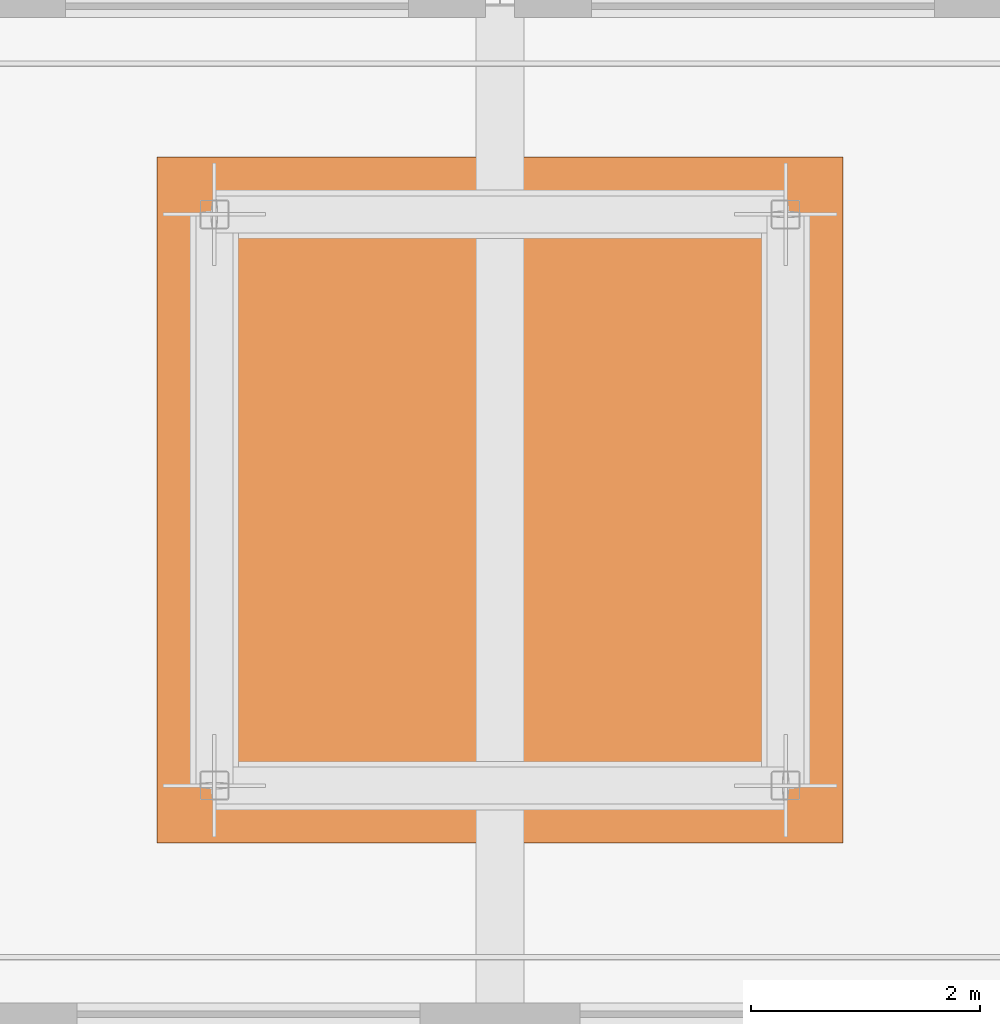
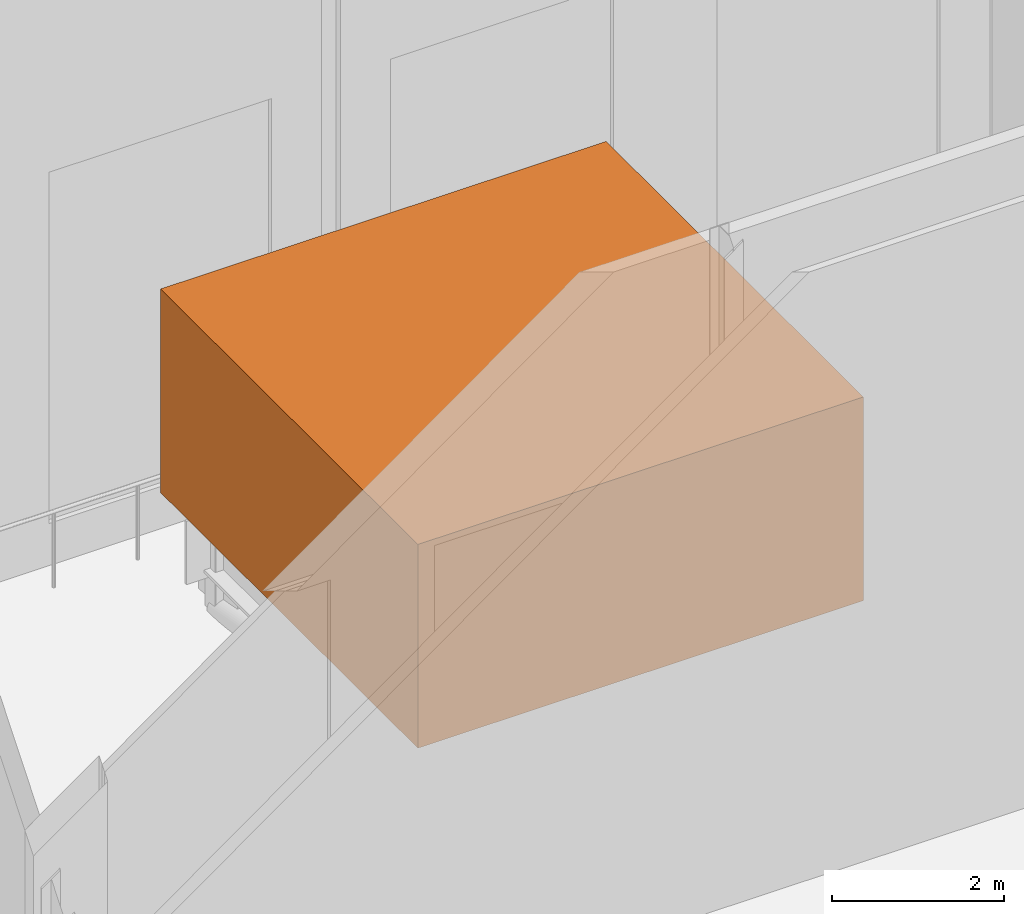
# One storey, part 26 of 26: 1 proxy.
"""IFC4 building model written with IfcOpenShell, lengths in metres."""

from ifc_helpers import new_model, si_unit, direction, frame, origin, origin_2d, place, context, subcontext, project, spatial, rectangle, extrude, element, save


model = new_model("IFC4")

# Units and contexts
model_context = context("Model", 3, precision=1e-05, world=origin(), true_north=direction((0.0, 1.0)))
body_context = subcontext(model_context, "Body", "Model", "MODEL_VIEW")
ifc_project = project(units=[si_unit("LENGTHUNIT", "METRE"), si_unit("AREAUNIT", "SQUARE_METRE"), si_unit("VOLUMEUNIT", "CUBIC_METRE"), si_unit("PLANEANGLEUNIT", "RADIAN"), si_unit("MASSUNIT", "GRAM", prefix="KILO")], contexts=[model_context])

# Site, building, storey
site_placement = place(None, origin())
site = spatial("IfcSite", under=ifc_project, at=site_placement, CompositionType="ELEMENT")
building_placement = place(site_placement, origin())
building = spatial("IfcBuilding", under=site, at=building_placement, Name="Zellij Exchange Tower", CompositionType="ELEMENT")
storey_placement = place(building_placement, frame((0.0, 0.0, 296.5)))
storey = spatial("IfcBuildingStorey", under=building, at=storey_placement, Name="L70", CompositionType="ELEMENT", Elevation=296.5)

# Proxy
proxy_placement = place(storey_placement, frame((0.0, 9.5, 1.5), z_axis=(0.0, 0.0, 1.0), x_axis=(1.0, 0.0, 0.0)))
element("IfcBuildingElementProxy", 1, at=proxy_placement, inside=storey, Name="Tuned mass damper", PredefinedType="NOTDEFINED", context=body_context, shape_type="SweptSolid", body=[
    extrude(rectangle(XDim=6.0, YDim=6.0, at=origin_2d()), origin(), (0.0, 0.0, 1.0), 2.89990234375),
])

save(model, "model.ifc")
